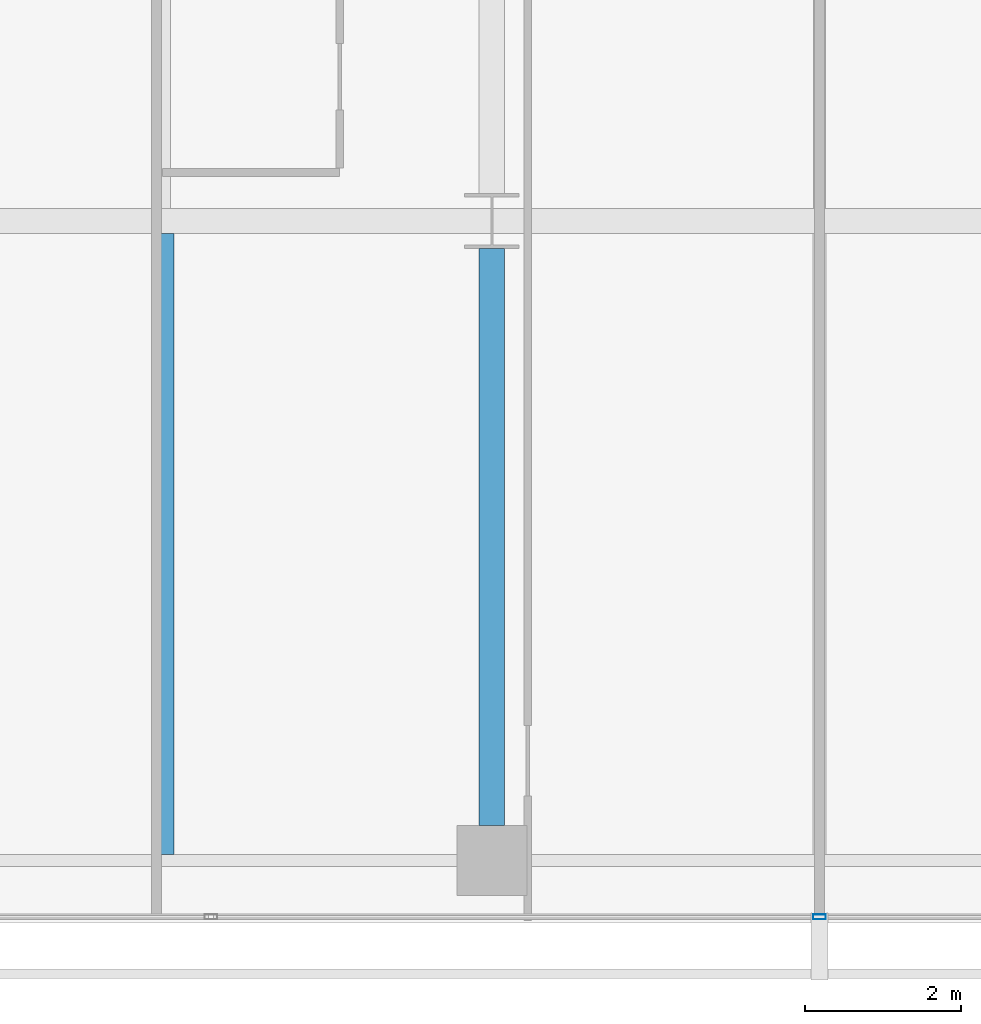
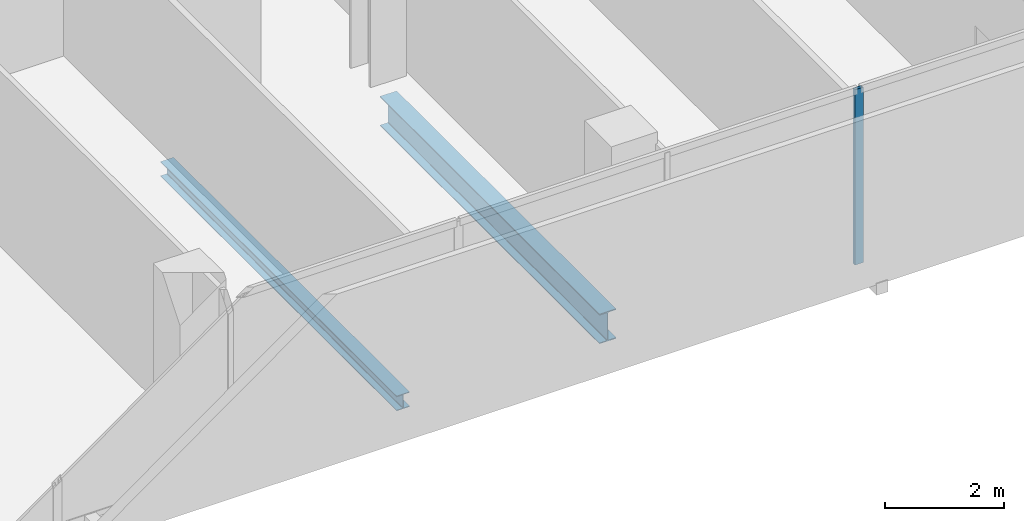
# One storey, part 8 of 40: 2 beams, 1 member, 1 element without a shape of its own.
"""IFC4 building model written with IfcOpenShell, lengths in metres."""

from ifc_helpers import new_model, si_unit, direction, frame, origin, origin_2d, place, context, subcontext, project, spatial, hollow_rectangle, i_section, extrude, material, layer, layer_set, material_profile, profile_set, type_object, element, aggregate, save


model = new_model("IFC4")

# Units and contexts
model_context = context("Model", 3, precision=1e-05, world=origin(), true_north=direction((0.0, 1.0)))
body_context = subcontext(model_context, "Body", "Model", "MODEL_VIEW")
ifc_project = project(units=[si_unit("LENGTHUNIT", "METRE"), si_unit("AREAUNIT", "SQUARE_METRE"), si_unit("VOLUMEUNIT", "CUBIC_METRE"), si_unit("PLANEANGLEUNIT", "RADIAN"), si_unit("MASSUNIT", "GRAM", prefix="KILO")], contexts=[model_context])

# Site, building, storey
site_placement = place(None, origin())
site = spatial("IfcSite", under=ifc_project, at=site_placement, CompositionType="ELEMENT")
building_placement = place(site_placement, origin())
building = spatial("IfcBuilding", under=site, at=building_placement, Name="Maruvema Waterfront Hotel and Observation Tower", CompositionType="ELEMENT")
storey_placement = place(building_placement, frame((0.0, 0.0, 96.25)))
storey = spatial("IfcBuildingStorey", under=building, at=storey_placement, Name="L23", CompositionType="ELEMENT", Elevation=96.25)

# Curtain wall, member
ifc_material_1 = material(Name="Anodised bronze aluminium and solar-control low-E IGU", Category="aluminium")
ifc_layer = layer(ifc_material_1, 0.159912109375, Name="Zone 1 Bronze Inner Thermal Curtain Wall System CW-02")
ifc_layer_set = layer_set([ifc_layer], Name="Anodised bronze aluminium and solar-control low-E IGU")
curtain_wall_type = type_object("IfcCurtainWallType", Name="Zone 1 Bronze Inner Thermal Curtain Wall System CW-02", PredefinedType="USERDEFINED", material=ifc_layer_set)
curtain_wall_placement = place(storey_placement, origin())
curtain_wall = element("IfcCurtainWall", 1, at=curtain_wall_placement, inside=storey, type_object=curtain_wall_type, Name="L23 Curtain Wall CW-L23-S", ObjectType="UNITISED CURTAIN WALL", PredefinedType="USERDEFINED")
ifc_material_2 = material(Name="Anodised architectural bronze aluminium", Category="aluminium")
ifc_material_profile_1 = material_profile(ifc_material_2, hollow_rectangle(XDim=0.06494140625, YDim=0.1650390625, WallThickness=0.00390625, at=origin_2d()), Name="ALU-M65x165")
ifc_profile_set_1 = profile_set([ifc_material_profile_1], Name="Anodised architectural bronze aluminium")
member_type = type_object("IfcMemberType", Name="Curtain Wall Primary Mullion ALU-M65x165", PredefinedType="MULLION", material=ifc_profile_set_1)
member_placement = place(storey_placement, frame((37.800048828125, 0.080078125, 0.0), z_axis=(0.0, 0.0, 1.0), x_axis=(0.0, 1.0, 0.0)))
member = element("IfcMember", 2, at=member_placement, type_object=member_type, Name="CW-02 mullion 4", PredefinedType="MULLION", context=body_context, shape_type="SweptSolid", body=[
    extrude(hollow_rectangle(XDim=0.06494140625, YDim=0.1650390625, WallThickness=0.00390625, at=origin_2d()), origin(), (0.0, 0.0, 1.0), 3.610107421875),
])
aggregate(curtain_wall, [member])

# Beams
ifc_material_3 = material(Name="Steel ASTM A572 Grade 50", Category="steel")
ifc_material_profile_2 = material_profile(ifc_material_3, i_section(OverallWidth=0.323974609375, OverallDepth=0.611083984375, WebThickness=0.0126953125, FlangeThickness=0.01904296875, FilletRadius=0.01806640625, at=origin_2d()), Name="W610x155.0")
ifc_profile_set_2 = profile_set([ifc_material_profile_2], Name="Steel ASTM A572 Grade 50")
beam_type_1 = type_object("IfcBeamType", Name="Primary Floor Girder W610x155.0", PredefinedType="BEAM", material=ifc_profile_set_2)
beam_1_placement = place(storey_placement, frame((33.60009765625, 1.25, -0.54541015625), z_axis=(0.0, 1.0, 0.0), x_axis=(-1.0, 0.0, 0.0)))
element("IfcBeam", 3, at=beam_1_placement, inside=storey, type_object=beam_type_1, Name="L23 Floor Girder NS-16", PredefinedType="BEAM", context=body_context, shape_type="SweptSolid", body=[
    extrude(i_section(OverallWidth=0.323974609375, OverallDepth=0.611083984375, WebThickness=0.0126953125, FlangeThickness=0.01904296875, FilletRadius=0.01806640625, at=origin_2d()), origin(), (0.0, 0.0, 1.0), 7.39990234375),
])
ifc_material_4 = material(Name="Steel ASTM A572 Grade 50", Category="steel")
ifc_material_profile_3 = material_profile(ifc_material_4, i_section(OverallWidth=0.25390625, OverallDepth=0.305908203125, WebThickness=0.0087890625, FlangeThickness=0.0146484375, FilletRadius=0.014892578125, at=origin_2d()), Name="W310x79.0")
ifc_profile_set_3 = profile_set([ifc_material_profile_3], Name="Steel ASTM A572 Grade 50")
beam_type_2 = type_object("IfcBeamType", Name="Secondary Floor Joist W310x79.0", PredefinedType="JOIST", material=ifc_profile_set_3)
beam_2_placement = place(storey_placement, frame((29.39990234375, 0.87646484375, -0.39306640625), z_axis=(0.0, 1.0, 0.0), x_axis=(-1.0, 0.0, 0.0)))
element("IfcBeam", 4, at=beam_2_placement, inside=storey, type_object=beam_type_2, Name="L23 Secondary Floor Joist JS-10", PredefinedType="JOIST", context=body_context, shape_type="SweptSolid", body=[
    extrude(i_section(OverallWidth=0.25390625, OverallDepth=0.305908203125, WebThickness=0.0087890625, FlangeThickness=0.0146484375, FilletRadius=0.014892578125, at=origin_2d()), origin(), (0.0, 0.0, 1.0), 7.96142578125),
])

save(model, "model.ifc")
